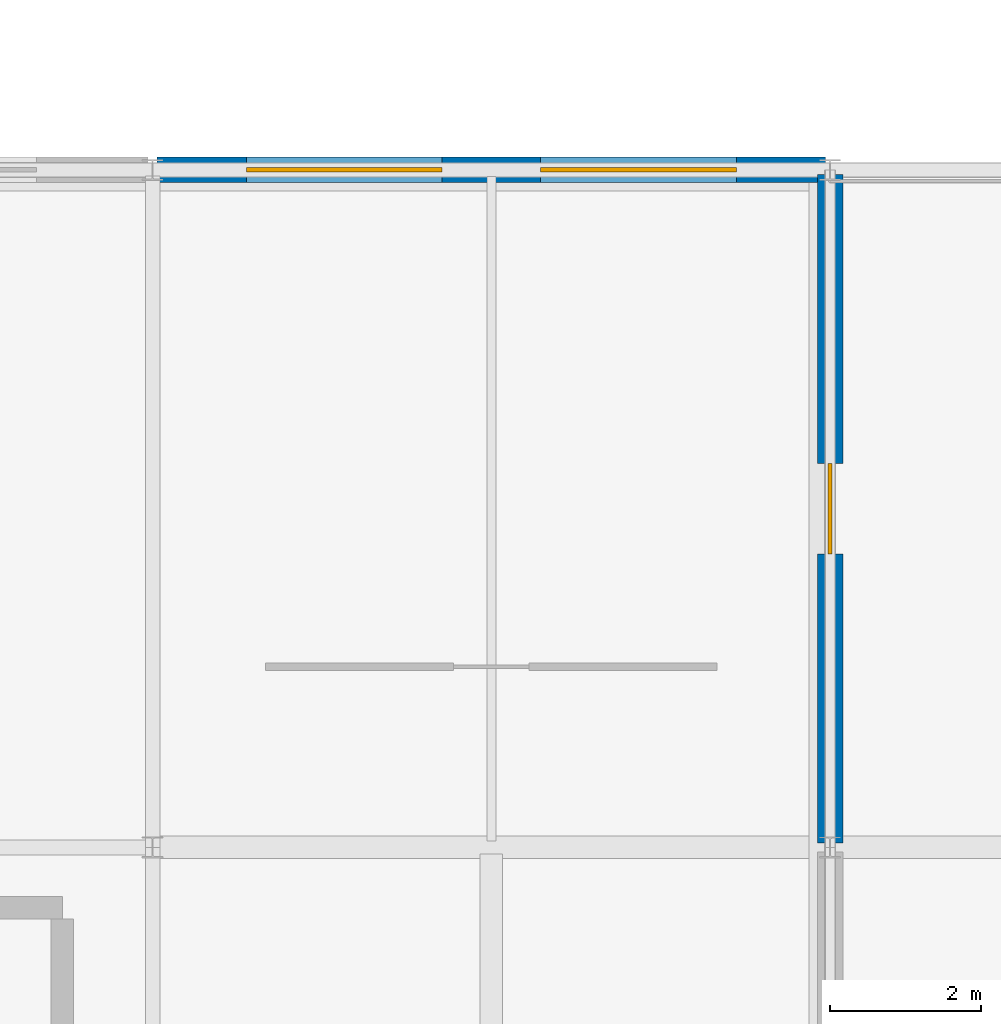
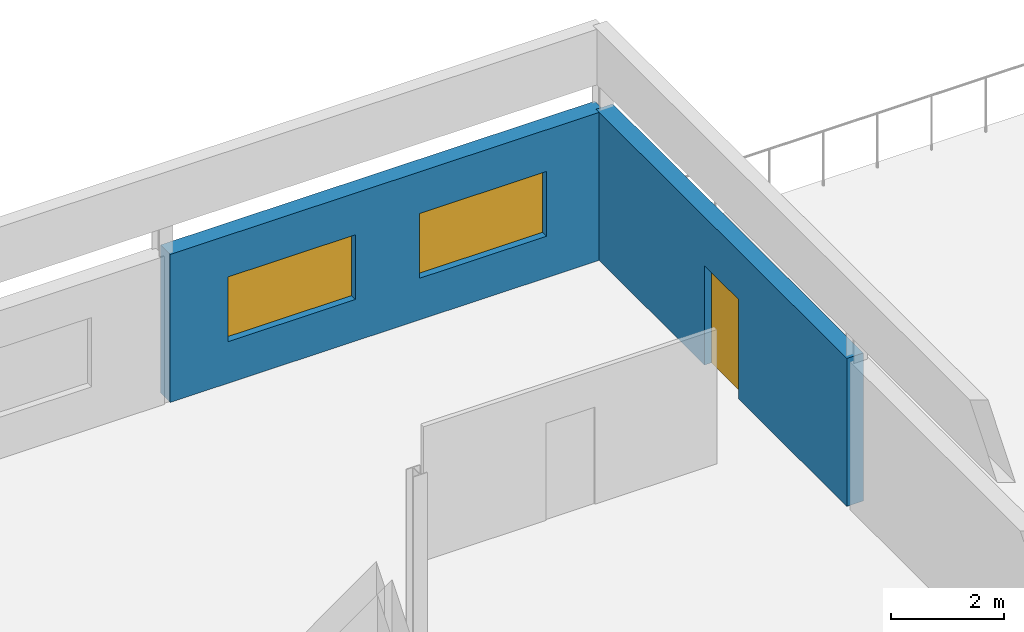
# One storey, part 10 of 18: 2 walls, 2 windows, 1 door, 3 openings.
"""IFC4 building model written with IfcOpenShell, lengths in metres."""

import ifcopenshell
import ifcopenshell.guid

model = None  # the IFC model being written
_history = None  # IfcOwnerHistory: only IFC2X3 demands one
_inside = {}  # id of a spatial element -> (the spatial element, [elements in it])
_under = {}  # id of a project, library or spatial element -> (it, [spatial elements below it])
_declared = {}  # id of a project -> (the project, [libraries it declares])
_typed = {}  # id of a type object -> (the type object, [elements of that type])
_made_of = {}  # id of a material, layer set ... -> (it, [elements and type objects made of it])


def new_model(schema):
    """Start an empty IFC model of exactly this schema.

    Asked for "IFC4X3", IfcOpenShell would pick the latest addendum, in which some entities
    have other attributes; the version numbers below select the first issue.
    IFC2X3 requires an IfcOwnerHistory on every rooted entity: one is made here for all.
    """
    global model, _history
    if schema == "IFC4X3":
        model = ifcopenshell.file(schema_version=(4, 3, 0, 0))
    else:
        model = ifcopenshell.file(schema=schema)
    _inside.clear()
    _under.clear()
    _declared.clear()
    _typed.clear()
    _made_of.clear()
    _history = None
    if model.schema == "IFC2X3":
        org = make("IfcOrganization", Name="unknown")
        user = make(
            "IfcPersonAndOrganization",
            ThePerson=make("IfcPerson", FamilyName="unknown"),
            TheOrganization=org,
        )
        app = make(
            "IfcApplication",
            ApplicationDeveloper=org,
            Version="unknown",
            ApplicationFullName="unknown",
            ApplicationIdentifier="unknown",
        )
        _history = make(
            "IfcOwnerHistory",
            OwningUser=user,
            OwningApplication=app,
            ChangeAction="ADDED",
            CreationDate=0,
        )
    return model


def make(cls, **values):
    """One entity of the class cls with the attributes given. An attribute that is None is left unset."""
    return model.create_entity(
        cls, **{name: value for name, value in values.items() if value is not None}
    )


def rooted(cls, **values):
    """An entity with a GlobalId (a new one), such as an element, a storey or a relation."""
    return make(cls, GlobalId=ifcopenshell.guid.new(), OwnerHistory=_history, **values)


def si_unit(unit_type, name, prefix=None):
    """IfcSIUnit, for example si_unit("LENGTHUNIT", "METRE", prefix="MILLI")."""
    return make("IfcSIUnit", UnitType=unit_type, Prefix=prefix, Name=name)


def assignment(units):
    """IfcUnitAssignment: the units of a project."""
    return None if units is None else make("IfcUnitAssignment", Units=units)


def point(xyz):
    """IfcCartesianPoint."""
    return None if xyz is None else make("IfcCartesianPoint", Coordinates=xyz)


def direction(xyz):
    """IfcDirection."""
    return None if xyz is None else make("IfcDirection", DirectionRatios=xyz)


def frame(location, z_axis=None, x_axis=None):
    """IfcAxis2Placement3D, a coordinate frame: its origin and axes. An axis left out is left unset."""
    return make(
        "IfcAxis2Placement3D",
        Location=point(location),
        Axis=direction(z_axis),
        RefDirection=direction(x_axis),
    )


def frame_2d(location, x_axis=None):
    """IfcAxis2Placement2D, a coordinate frame in the plane: its origin and x axis."""
    return make(
        "IfcAxis2Placement2D", Location=point(location), RefDirection=direction(x_axis)
    )


def origin():
    """The frame at (0, 0, 0) with its axes left unset."""
    return frame((0.0, 0.0, 0.0))


def place(relative_to, where):
    """IfcLocalPlacement: puts the frame where relative to a parent placement (None: the world)."""
    return make(
        "IfcLocalPlacement", PlacementRelTo=relative_to, RelativePlacement=where
    )


def context(
    kind, dimensions, precision=None, world=None, true_north=None, identifier=None
):
    """IfcGeometricRepresentationContext, for example the 3D "Model" context."""
    return make(
        "IfcGeometricRepresentationContext",
        ContextIdentifier=identifier,
        ContextType=kind,
        CoordinateSpaceDimension=dimensions,
        Precision=precision,
        WorldCoordinateSystem=world,
        TrueNorth=true_north,
    )


def subcontext(parent, identifier, kind, view, scale=None):
    """IfcGeometricRepresentationSubContext, for example "Body" below "Model"."""
    return make(
        "IfcGeometricRepresentationSubContext",
        ContextIdentifier=identifier,
        ContextType=kind,
        ParentContext=parent,
        TargetScale=scale,
        TargetView=view,
    )


def project(units=None, contexts=None):
    """IfcProject with its units and contexts."""
    return rooted(
        "IfcProject",
        Name="project",
        RepresentationContexts=contexts,
        UnitsInContext=assignment(units),
    )


def spatial(cls, under=None, at=None, **own):
    """A site, building, storey or space (cls), placed at a placement, below another one or the project."""
    s = rooted(cls, ObjectPlacement=at, **own)
    if under is not None:
        _under.setdefault(under.id(), (under, []))[1].append(s)
    return s


def profile(cls, at=None, kind="AREA", **sizes):
    """A parametric profile (cls). Its sizes go by their IFC names, for example OverallWidth=200.0."""
    return make(cls, ProfileType=kind, Position=at, **sizes)


def rectangle(**sizes):
    """IfcRectangleProfileDef."""
    return profile("IfcRectangleProfileDef", **sizes)


def extrude(swept, where, along, depth):
    """IfcExtrudedAreaSolid: the profile swept, set in the frame where, extruded along a direction by depth."""
    return make(
        "IfcExtrudedAreaSolid",
        SweptArea=swept,
        Position=where,
        ExtrudedDirection=direction(along),
        Depth=depth,
    )


def shape(context_of_items, identifier, shape_type, items):
    """IfcShapeRepresentation: the items that make up one representation, for example the "Body"."""
    return make(
        "IfcShapeRepresentation",
        ContextOfItems=context_of_items,
        RepresentationIdentifier=identifier,
        RepresentationType=shape_type,
        Items=items,
    )


def material(Name=None, Category=None):
    """IfcMaterial."""
    return make("IfcMaterial", Name=Name, Category=Category)


def layer(
    of_material, thickness, ventilated=None, Name=None, Category=None, Priority=None
):
    """IfcMaterialLayer: one layer of a wall or slab, of a material (None: an air gap)."""
    return make(
        "IfcMaterialLayer",
        Material=of_material,
        LayerThickness=thickness,
        IsVentilated=ventilated,
        Name=Name,
        Category=Category,
        Priority=Priority,
    )


def layer_set(layers, Name=None):
    """IfcMaterialLayerSet."""
    return make("IfcMaterialLayerSet", MaterialLayers=layers, LayerSetName=Name)


def made_of(thing, what):
    """Note that an element or type object is made of a material, layer set ...; save() writes the relation."""
    if what is not None:
        _made_of.setdefault(what.id(), (what, []))[1].append(thing)
    return thing


def type_object(cls, material=None, **own):
    """A type object (cls), such as IfcWallType, which elements share."""
    return made_of(rooted(cls, **own), material)


def element(
    cls,
    number,
    at=None,
    inside=None,
    cuts=None,
    type_object=None,
    material=None,
    context=None,
    identifier="Body",
    shape_type=None,
    held_by="IfcProductDefinitionShape",
    body=None,
    shapes=None,
    **own,
):
    """One element of the class cls, such as IfcWall. Its Tag is "e" and its number.

    at: its placement. inside: the storey or other place that contains it. cuts: it is an
    opening in that element (IfcRelVoidsElement). A single representation is given by context,
    identifier, shape_type and body (its items); several are given by shapes. held_by: the class
    of the entity that holds the representations. save() writes the other relations.
    """
    e = rooted(cls, Tag="e%d" % number, ObjectPlacement=at, **own)
    if body is not None:
        shapes = [shape(context, identifier, shape_type, body)]
    if shapes is not None:
        e.Representation = make(held_by, Representations=shapes)
    if inside is not None:
        _inside.setdefault(inside.id(), (inside, []))[1].append(e)
    if cuts is not None:
        rooted(
            "IfcRelVoidsElement", RelatingBuildingElement=cuts, RelatedOpeningElement=e
        )
    if type_object is not None:
        _typed.setdefault(type_object.id(), (type_object, []))[1].append(e)
    return made_of(e, material)


def fill(opening, filler):
    """IfcRelFillsElement: the door or window that sits in an opening."""
    return rooted(
        "IfcRelFillsElement",
        RelatingOpeningElement=opening,
        RelatedBuildingElement=filler,
    )


def aggregate(whole, parts):
    """IfcRelAggregates: a whole, such as a stair, and the parts it consists of."""
    return rooted("IfcRelAggregates", RelatingObject=whole, RelatedObjects=parts)


def save(model, path):
    """Write the relations noted so far, then the file.

    IfcRelAggregates (storeys below a building ...), IfcRelContainedInSpatialStructure (elements
    in a storey), IfcRelDefinesByType, IfcRelAssociatesMaterial and IfcRelDeclares: one each for
    every whole, place, type object, material and project.
    """
    for whole, parts in _under.values():
        aggregate(whole, parts)
    for where, things in _inside.values():
        rooted(
            "IfcRelContainedInSpatialStructure",
            RelatedElements=things,
            RelatingStructure=where,
        )
    for kind, things in _typed.values():
        rooted("IfcRelDefinesByType", RelatedObjects=things, RelatingType=kind)
    for what, things in _made_of.values():
        rooted("IfcRelAssociatesMaterial", RelatedObjects=things, RelatingMaterial=what)
    for by, libraries in _declared.values():
        rooted("IfcRelDeclares", RelatingContext=by, RelatedDefinitions=libraries)
    model.write(path)


model = new_model("IFC4")

# Units and contexts
model_context = context("Model", 3, precision=1e-05, world=origin(), true_north=direction((0.0, 1.0)))
body_context = subcontext(model_context, "Body", "Model", "MODEL_VIEW")
ifc_project = project(units=[si_unit("LENGTHUNIT", "METRE"), si_unit("AREAUNIT", "SQUARE_METRE"), si_unit("VOLUMEUNIT", "CUBIC_METRE"), si_unit("PLANEANGLEUNIT", "RADIAN"), si_unit("MASSUNIT", "GRAM", prefix="KILO")], contexts=[model_context])

# Site, building, storey
site_placement = place(None, origin())
site = spatial("IfcSite", under=ifc_project, at=site_placement, CompositionType="ELEMENT")
building_placement = place(site_placement, origin())
building = spatial("IfcBuilding", under=site, at=building_placement, Name="Kildeholm Park Wholesale Market", CompositionType="ELEMENT")
storey_placement = place(building_placement, frame((0.0, 0.0, 13.5)))
storey = spatial("IfcBuildingStorey", under=building, at=storey_placement, Name="L03", CompositionType="ELEMENT", Elevation=13.5)

# Wall, openings, windows
ifc_material_1 = material(Name="Precast concrete C40/50 architectural rainscreen wall", Category="concrete")
ifc_layer = layer(ifc_material_1, 0.340087890625)
ifc_layer_set = layer_set([ifc_layer], Name="Precast concrete C40/50 architectural rainscreen wall")
wall_type = type_object("IfcWallType", Name="Exterior wall W-EX4 340 mm", PredefinedType="SOLIDWALL", material=ifc_layer_set)
wall_1_placement = place(storey_placement, frame((63.06005859375, 18.0, 0.0), z_axis=(0.0, 0.0, 1.0), x_axis=(1.0, 0.0, 0.0)))
wall_1 = element("IfcWall", 1, at=wall_1_placement, inside=storey, type_object=wall_type, Name="Exterior wall V5W-L03-N.6 WL-0562", PredefinedType="SOLIDWALL", context=body_context, shape_type="SweptSolid", body=[
    extrude(rectangle(XDim=8.8798828125, YDim=0.340087890625, at=frame_2d((4.43994140625, 0.0))), origin(), (0.0, 0.0, 1.0), 3.199951171875),
])
opening_1_placement = place(wall_1_placement, frame((1.18603515625, 0.0, 0.89990234375)))
opening_1 = element("IfcOpeningElement", 2, at=opening_1_placement, cuts=wall_1, Name="Opening WN-13", PredefinedType="OPENING", context=body_context, shape_type="SweptSolid", body=[
    extrude(rectangle(XDim=2.60009765625, YDim=1.39990234375, at=frame_2d((1.300048828125, 0.699951171875))), frame((0.0, 0.179931640625, 0.0), z_axis=(0.0, -1.0, 0.0), x_axis=(1.0, 0.0, 0.0)), (0.0, 0.0, 1.0), 0.360107421875),
])
opening_2_placement = place(wall_1_placement, frame((5.093994140625, 0.0, 0.89990234375)))
opening_2 = element("IfcOpeningElement", 3, at=opening_2_placement, cuts=wall_1, Name="Opening WN-13", PredefinedType="OPENING", context=body_context, shape_type="SweptSolid", body=[
    extrude(rectangle(XDim=2.60009765625, YDim=1.39990234375, at=frame_2d((1.300048828125, 0.699951171875))), frame((0.0, 0.179931640625, 0.0), z_axis=(0.0, -1.0, 0.0), x_axis=(1.0, 0.0, 0.0)), (0.0, 0.0, 1.0), 0.360107421875),
])
ifc_material_2 = material(Name="Thermally broken aluminium and triple-glazed low-E glass", Category="aluminium")
window_type = type_object("IfcWindowType", Name="Window WN-13 2600x1400", PartitioningType="TRIPLE_PANEL_VERTICAL", PredefinedType="WINDOW", material=ifc_material_2)
window_1_placement = place(opening_1_placement, origin())
window_1 = element("IfcWindow", 4, at=window_1_placement, inside=storey, type_object=window_type, Name="Window V5W-L03-N.6.1 WIN-0347", OverallHeight=1.39990234375, OverallWidth=2.60009765625, PartitioningType="SINGLE_PANEL", PredefinedType="WINDOW", context=body_context, shape_type="SweptSolid", body=[
    extrude(rectangle(XDim=2.60009765625, YDim=1.39990234375, at=frame_2d((1.300048828125, 0.699951171875))), frame((0.0, 0.030029296875, 0.0), z_axis=(0.0, -1.0, 0.0), x_axis=(1.0, 0.0, 0.0)), (0.0, 0.0, 1.0), 0.06005859375),
])
fill(opening_1, window_1)
window_2_placement = place(opening_2_placement, origin())
window_2 = element("IfcWindow", 5, at=window_2_placement, inside=storey, type_object=window_type, Name="Window V5W-L03-N.6.2 WIN-0348", OverallHeight=1.39990234375, OverallWidth=2.60009765625, PartitioningType="SINGLE_PANEL", PredefinedType="WINDOW", context=body_context, shape_type="SweptSolid", body=[
    extrude(rectangle(XDim=2.60009765625, YDim=1.39990234375, at=frame_2d((1.300048828125, 0.699951171875))), frame((0.0, 0.030029296875, 0.0), z_axis=(0.0, -1.0, 0.0), x_axis=(1.0, 0.0, 0.0)), (0.0, 0.0, 1.0), 0.06005859375),
])
fill(opening_2, window_2)

# Wall, opening, door
wall_2_placement = place(storey_placement, frame((72.0, 9.06005859375, 0.0), z_axis=(0.0, 0.0, 1.0), x_axis=(0.0, 1.0, 0.0)))
wall_2 = element("IfcWall", 6, at=wall_2_placement, inside=storey, type_object=wall_type, Name="Exterior wall V5W-L03-E.2 WL-0566", PredefinedType="SOLIDWALL", context=body_context, shape_type="SweptSolid", body=[
    extrude(rectangle(XDim=8.8798828125, YDim=0.340087890625, at=frame_2d((4.43994140625, 0.0))), origin(), (0.0, 0.0, 1.0), 3.199951171875),
])
opening_3_placement = place(wall_2_placement, frame((3.840087890625, 0.0, 0.0)))
opening_3 = element("IfcOpeningElement", 7, at=opening_3_placement, cuts=wall_2, Name="Opening D-EX11", PredefinedType="OPENING", context=body_context, shape_type="SweptSolid", body=[
    extrude(rectangle(XDim=1.199951171875, YDim=2.14990234375, at=frame_2d((0.60009765625, 1.074951171875))), frame((0.0, 0.179931640625, 0.0), z_axis=(0.0, -1.0, 0.0), x_axis=(1.0, 0.0, 0.0)), (0.0, 0.0, 1.0), 0.360107421875),
])
ifc_material_3 = material(Name="Anodised aluminium terrace leaf door", Category="aluminium")
door_type = type_object("IfcDoorType", Name="Exterior door D-EX11 1200x2150", OperationType="NOTDEFINED", PredefinedType="DOOR", material=ifc_material_3)
door_placement = place(opening_3_placement, frame((1.199951171875, 0.0, 0.0), z_axis=(0.0, 0.0, 1.0), x_axis=(-1.0, 0.0, 0.0)))
door = element("IfcDoor", 8, at=door_placement, inside=storey, type_object=door_type, Name="Door V5W-L03-E.2 DR-0060 WL-0566", OperationType="SINGLE_SWING_RIGHT", OverallHeight=2.14990234375, OverallWidth=1.199951171875, PredefinedType="DOOR", context=body_context, shape_type="SweptSolid", body=[
    extrude(rectangle(XDim=1.199951171875, YDim=2.14990234375, at=frame_2d((0.60009765625, 1.074951171875))), frame((0.0, 0.02490234375, 0.0), z_axis=(0.0, -1.0, 0.0), x_axis=(1.0, 0.0, 0.0)), (0.0, 0.0, 1.0), 0.050048828125),
])
fill(opening_3, door)

save(model, "model.ifc")
